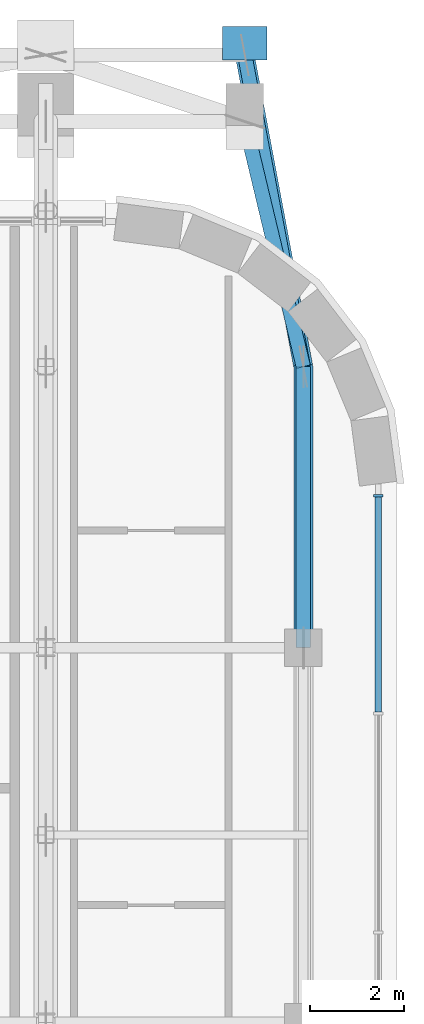
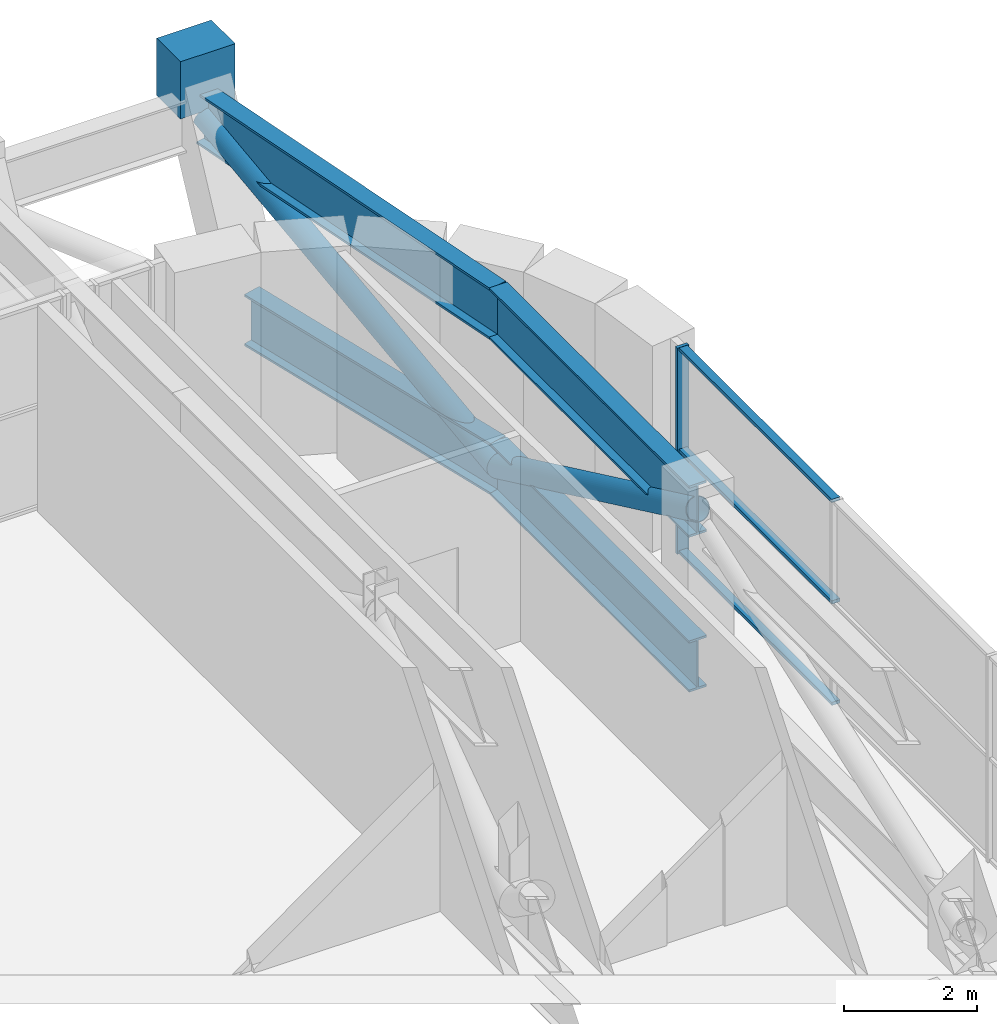
# One storey, part 14 of 28: 10 members, 1 beam, 1 element without a shape of its own.
"""IFC4 building model written with IfcOpenShell, lengths in metres."""

from ifc_helpers import new_model, si_unit, direction, frame, origin, origin_2d, place, context, subcontext, project, spatial, rectangle, hollow_circle, i_section, extrude, material, material_profile, profile_set, type_object, element, aggregate, save


model = new_model("IFC4")

# Units and contexts
model_context = context("Model", 3, precision=1e-05, world=origin(), true_north=direction((0.0, 1.0)))
body_context = subcontext(model_context, "Body", "Model", "MODEL_VIEW")
ifc_project = project(units=[si_unit("LENGTHUNIT", "METRE"), si_unit("AREAUNIT", "SQUARE_METRE"), si_unit("VOLUMEUNIT", "CUBIC_METRE"), si_unit("PLANEANGLEUNIT", "RADIAN"), si_unit("MASSUNIT", "GRAM", prefix="KILO")], contexts=[model_context])

# Site, building, storey
site_placement = place(None, origin())
site = spatial("IfcSite", under=ifc_project, at=site_placement, CompositionType="ELEMENT")
building_placement = place(site_placement, origin())
building = spatial("IfcBuilding", under=site, at=building_placement, Name="Zellij Exchange Tower", CompositionType="ELEMENT")
storey_placement = place(building_placement, frame((0.0, 0.0, 268.5)))
storey = spatial("IfcBuildingStorey", under=building, at=storey_placement, Name="L63", CompositionType="ELEMENT", Elevation=268.5)

# Curtain wall, members
ifc_material_1 = material(Name="Aluminium frame, clear insulating glass", Category="aluminium")
curtain_wall_type = type_object("IfcCurtainWallType", Name="ENV-CW2 Outrigger-storey glazing", PredefinedType="NOTDEFINED", material=ifc_material_1)
curtain_wall_placement = place(storey_placement, origin())
curtain_wall = element("IfcCurtainWall", 1, at=curtain_wall_placement, inside=storey, type_object=curtain_wall_type, Name="cw.L63.07b", PredefinedType="NOTDEFINED")
ifc_material_2 = material(Name="Aluminium", Category="aluminium")
ifc_material_profile_1 = material_profile(ifc_material_2, rectangle(XDim=0.06005859375, YDim=0.199951171875, at=origin_2d()), Name="AL 60x200")
ifc_profile_set_1 = profile_set([ifc_material_profile_1], Name="Aluminium")
member_type_1 = type_object("IfcMemberType", Name="ENV-CW2M Mullion 60x200", PredefinedType="MULLION", material=ifc_profile_set_1)
member_1_placement = place(storey_placement, frame((34.10009765625, 25.243896484375, 0.0), z_axis=(0.0, 0.0, 1.0), x_axis=(0.0, 1.0, 0.0)))
member_1 = element("IfcMember", 2, at=member_1_placement, type_object=member_type_1, Name="CW2 mullion 5", PredefinedType="MULLION", context=body_context, shape_type="SweptSolid", body=[
    extrude(rectangle(XDim=0.06005859375, YDim=0.199951171875, at=origin_2d()), origin(), (0.0, 0.0, 1.0), 3.780029296875),
])
ifc_material_profile_2 = material_profile(ifc_material_2, rectangle(XDim=0.139892578125, YDim=0.06005859375, at=origin_2d()), Name="AL 140x60")
ifc_profile_set_2 = profile_set([ifc_material_profile_2], Name="Aluminium")
member_type_2 = type_object("IfcMemberType", Name="ENV-CW2T Transom 140x60", PredefinedType="USERDEFINED", material=ifc_profile_set_2)
member_2_placement = place(storey_placement, frame((34.10009765625, 20.62548828125, 0.030029296875), z_axis=(0.0, 1.0, 0.0), x_axis=(-1.0, 0.0, 0.0)))
member_2 = element("IfcMember", 3, at=member_2_placement, type_object=member_type_2, Name="CW2 transom 4.1", ObjectType="TRANSOM", PredefinedType="USERDEFINED", context=body_context, shape_type="SweptSolid", body=[
    extrude(rectangle(XDim=0.139892578125, YDim=0.06005859375, at=origin_2d()), origin(), (0.0, 0.0, 1.0), 4.58837890625),
])
member_3_placement = place(storey_placement, frame((34.10009765625, 20.62548828125, 1.889892578125), z_axis=(0.0, 1.0, 0.0), x_axis=(-1.0, 0.0, 0.0)))
member_3 = element("IfcMember", 4, at=member_3_placement, type_object=member_type_2, Name="CW2 transom 4.2", ObjectType="TRANSOM", PredefinedType="USERDEFINED", context=body_context, shape_type="SweptSolid", body=[
    extrude(rectangle(XDim=0.139892578125, YDim=0.06005859375, at=origin_2d()), origin(), (0.0, 0.0, 1.0), 4.58837890625),
])
member_4_placement = place(storey_placement, frame((34.10009765625, 20.62548828125, 3.75), z_axis=(0.0, 1.0, 0.0), x_axis=(-1.0, 0.0, 0.0)))
member_4 = element("IfcMember", 5, at=member_4_placement, type_object=member_type_2, Name="CW2 transom 4.3", ObjectType="TRANSOM", PredefinedType="USERDEFINED", context=body_context, shape_type="SweptSolid", body=[
    extrude(rectangle(XDim=0.139892578125, YDim=0.06005859375, at=origin_2d()), origin(), (0.0, 0.0, 1.0), 4.58837890625),
])
aggregate(curtain_wall, [member_1, member_2, member_3, member_4])

# Members
ifc_material_3 = material(Name="Structural steel ASTM A992 Gr 50", Category="steel")
ifc_material_profile_3 = material_profile(ifc_material_3, i_section(OverallWidth=0.307373046875, OverallDepth=0.9423828125, WebThickness=0.022216796875, FlangeThickness=0.039794921875, at=origin_2d()), Name="W36x232")
ifc_profile_set_3 = profile_set([ifc_material_profile_3], Name="Structural steel ASTM A992 Gr 50")
member_type_3 = type_object("IfcMemberType", Name="STR-BELT TRUSS CHORD W36x232", PredefinedType="CHORD", material=ifc_profile_set_3)
for number, where, z_axis, x_axis, name in (
    (6, (32.5, 22.0, 0.47119140625), (0.0, 1.0, 0.0), (-1.0, 0.0, 0.0), "BT1"),
    (7, (32.5, 22.0, 3.308837890625), (0.0, 1.0, 0.0), (-1.0, 0.0, 0.0), "BT1"),
):
    element("IfcMember", number, at=place(storey_placement, frame(where, z_axis=z_axis, x_axis=x_axis)), inside=storey, type_object=member_type_3, Name=name, PredefinedType="CHORD", context=body_context, shape_type="SweptSolid", body=[
        extrude(i_section(OverallWidth=0.307373046875, OverallDepth=0.9423828125, WebThickness=0.022216796875, FlangeThickness=0.039794921875, at=origin_2d()), origin(), (0.0, 0.0, 1.0), 6.0),
    ])
member_5_placement = place(storey_placement, frame((32.5, 28.0, 0.47119140625), z_axis=(-0.232223446977, 0.972662464925, 0.0), x_axis=(-0.972662464925, -0.232223446977, 0.0)))
element("IfcMember", 8, at=member_5_placement, inside=storey, type_object=member_type_3, Name="BT1", PredefinedType="CHORD", context=body_context, shape_type="SweptSolid", body=[
    extrude(i_section(OverallWidth=0.307373046875, OverallDepth=0.9423828125, WebThickness=0.022216796875, FlangeThickness=0.039794921875, at=origin_2d()), origin(), (0.0, 0.0, 1.0), 5.3828125),
])
member_6_placement = place(storey_placement, frame((32.5, 28.0, 3.308837890625), z_axis=(-0.184619446254, 0.982810083416, 0.0), x_axis=(-0.982810083416, -0.184619446254, 0.0)))
element("IfcMember", 9, at=member_6_placement, inside=storey, type_object=member_type_3, Name="BT1", PredefinedType="CHORD", context=body_context, shape_type="SweptSolid", body=[
    extrude(i_section(OverallWidth=0.307373046875, OverallDepth=0.9423828125, WebThickness=0.022216796875, FlangeThickness=0.039794921875, at=origin_2d()), origin(), (0.0, 0.0, 1.0), 6.770751953125),
])
ifc_material_4 = material(Name="Structural steel ASTM A500 Gr C", Category="steel")
ifc_material_profile_4 = material_profile(ifc_material_4, hollow_circle(Radius=0.203125, WallThickness=0.01171875, at=origin_2d()), Name="STR-BELT TRUSS DIAGONAL HSS16.000x0.500")
ifc_profile_set_4 = profile_set([ifc_material_profile_4], Name="Structural steel ASTM A500 Gr C")
member_type_4 = type_object("IfcMemberType", Name="STR-BELT TRUSS DIAGONAL HSS16.000x0.500", PredefinedType="BRACE", material=ifc_profile_set_4)
member_7_placement = place(storey_placement, frame((32.5, 22.0, 3.308837890625), z_axis=(0.0, 0.903997572039, -0.427537588696), x_axis=(-1.0, 0.0, 0.0)))
element("IfcMember", 10, at=member_7_placement, inside=storey, type_object=member_type_4, Name="BT2", PredefinedType="BRACE", context=body_context, shape_type="SweptSolid", body=[
    extrude(hollow_circle(Radius=0.203125, WallThickness=0.01171875, at=origin_2d()), origin(), (0.0, 0.0, 1.0), 6.63720703125),
])
member_8_placement = place(storey_placement, frame((32.5, 28.0, 0.47119140625), z_axis=(-0.170270015014, 0.906421783052, 0.3865328876), x_axis=(-0.982810083416, -0.184619446254, 0.0)))
element("IfcMember", 11, at=member_8_placement, inside=storey, type_object=member_type_4, Name="BT2", PredefinedType="BRACE", context=body_context, shape_type="SweptSolid", body=[
    extrude(hollow_circle(Radius=0.203125, WallThickness=0.01171875, at=origin_2d()), origin(), (0.0, 0.0, 1.0), 7.34130859375),
])

# Beam
ifc_material_5 = material(Name="Concrete C50/60", Category="concrete")
ifc_material_profile_5 = material_profile(ifc_material_5, rectangle(XDim=0.949951171875, YDim=1.050048828125, at=origin_2d()), Name="STR-KNUCKLE BLOCK RC950x1050 C50/60")
ifc_profile_set_5 = profile_set([ifc_material_profile_5], Name="Concrete C50/60")
beam_type = type_object("IfcBeamType", Name="STR-KNUCKLE BLOCK RC950x1050 C50/60", PredefinedType="BEAM", material=ifc_profile_set_5)
beam_placement = place(storey_placement, frame((31.25, 34.552734375, 3.97509765625), z_axis=(0.0, 1.0, 0.0), x_axis=(-1.0, 0.0, 0.0)))
element("IfcBeam", 12, at=beam_placement, inside=storey, type_object=beam_type, Name="KB1", PredefinedType="BEAM", context=body_context, shape_type="SweptSolid", body=[
    extrude(rectangle(XDim=0.949951171875, YDim=1.050048828125, at=origin_2d()), origin(), (0.0, 0.0, 1.0), 0.715576171875),
])

save(model, "model.ifc")
